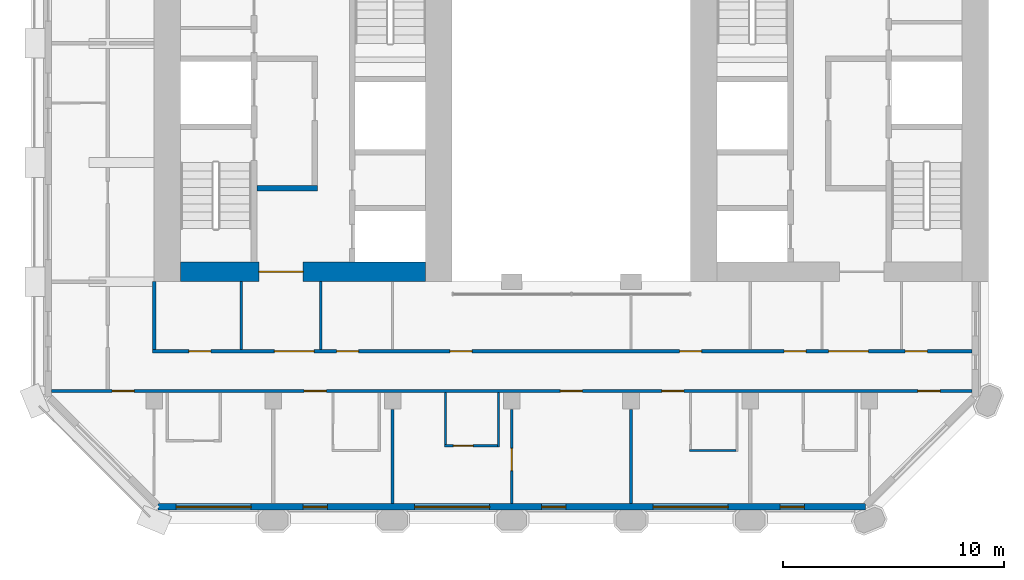
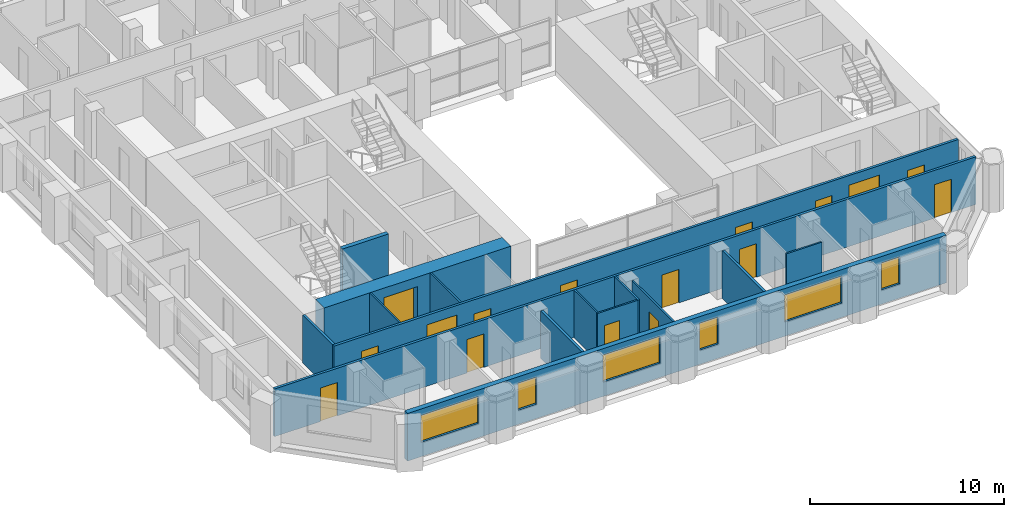
# One storey, part 6 of 13: 16 doors, 15 walls, 6 windows, 22 openings.
"""IFC4 building model written with IfcOpenShell, lengths in metres."""

from ifc_helpers import new_model, si_unit, direction, frame, frame_2d, origin, place, context, subcontext, project, spatial, rectangle, extrude, material, layer, layer_set, type_object, element, fill, save


model = new_model("IFC4")

# Units and contexts
model_context = context("Model", 3, precision=1e-05, world=origin(), true_north=direction((0.0, 1.0)))
body_context = subcontext(model_context, "Body", "Model", "MODEL_VIEW")
ifc_project = project(units=[si_unit("LENGTHUNIT", "METRE"), si_unit("AREAUNIT", "SQUARE_METRE"), si_unit("VOLUMEUNIT", "CUBIC_METRE"), si_unit("PLANEANGLEUNIT", "RADIAN"), si_unit("MASSUNIT", "GRAM", prefix="KILO")], contexts=[model_context])

# Site, building, storey
site_placement = place(None, origin())
site = spatial("IfcSite", under=ifc_project, at=site_placement, CompositionType="ELEMENT")
building_placement = place(site_placement, origin())
building = spatial("IfcBuilding", under=site, at=building_placement, Name="Tabaq Tower and Sports Hall", CompositionType="ELEMENT")
storey_placement = place(building_placement, frame((0.0, 0.0, 220.300048828125)))
storey = spatial("IfcBuildingStorey", under=building, at=storey_placement, Name="L55", CompositionType="ELEMENT", Elevation=220.300048828125)

# Wall, opening, door
ifc_material_1 = material(Name="Concrete C50/60", Category="concrete")
ifc_layer_1 = layer(ifc_material_1, 0.89990234375)
ifc_layer_set_1 = layer_set([ifc_layer_1], Name="Core wall 900 Concrete C50/60")
wall_type_1 = type_object("IfcWallType", Name="Core wall 900 Concrete C50/60", PredefinedType="SOLIDWALL", material=ifc_layer_set_1)
wall_1_placement = place(storey_placement, frame((17.699951171875, 16.64990234375, 0.0), z_axis=(0.0, 0.0, 1.0), x_axis=(-1.0, 0.0, 0.0)))
wall_1 = element("IfcWall", 1, at=wall_1_placement, inside=storey, type_object=wall_type_1, Name="Core wall W L55", PredefinedType="SOLIDWALL", context=body_context, shape_type="SweptSolid", body=[
    extrude(rectangle(XDim=11.099853515625, YDim=0.89990234375, at=frame_2d((5.5498046875, 0.0))), origin(), (0.0, 0.0, 1.0), 3.0),
])
opening_1_placement = place(wall_1_placement, frame((5.550048828125, 0.0, 0.0)))
opening_1 = element("IfcOpeningElement", 2, at=opening_1_placement, cuts=wall_1, Name="Opening PD-WL55-01", PredefinedType="OPENING", context=body_context, shape_type="SweptSolid", body=[
    extrude(rectangle(XDim=2.0, YDim=2.39990234375, at=frame_2d((1.0, 1.199951171875))), frame((0.0, 0.449951171875, 0.0), z_axis=(0.0, -1.0, 0.0), x_axis=(1.0, 0.0, 0.0)), (0.0, 0.0, 1.0), 0.89990234375),
])
ifc_material_2 = material(Name="Steel fire door", Category="steel")
door_type_1 = type_object("IfcDoorType", Name="Core entrance door 2000", OperationType="DOUBLE_DOOR_SINGLE_SWING", PredefinedType="DOOR", material=ifc_material_2)
door_1_placement = place(opening_1_placement, origin())
door_1 = element("IfcDoor", 3, at=door_1_placement, inside=storey, type_object=door_type_1, Name="Core entrance south W L55", OperationType="DOUBLE_DOOR_SINGLE_SWING", OverallHeight=2.39990234375, OverallWidth=2.0, PredefinedType="DOOR", context=body_context, shape_type="SweptSolid", body=[
    extrude(rectangle(XDim=2.0, YDim=2.39990234375, at=frame_2d((1.0, 1.199951171875))), frame((0.0, 0.02490234375, 0.0), z_axis=(0.0, -1.0, 0.0), x_axis=(1.0, 0.0, 0.0)), (0.0, 0.0, 1.0), 0.050048828125),
])
fill(opening_1, door_1)

# Wall
ifc_material_3 = material(Name="Gypsum board on steel studs", Category="steel")
ifc_layer_2 = layer(ifc_material_3, 0.10009765625)
ifc_layer_set_2 = layer_set([ifc_layer_2], Name="Partition 100 Gypsum board")
wall_type_2 = type_object("IfcWallType", Name="Partition 100 Gypsum board", PredefinedType="PARTITIONING", material=ifc_layer_set_2)
wall_2_placement = place(storey_placement, frame((31.75, 8.550048828125, 0.0), z_axis=(0.0, 0.0, 1.0), x_axis=(-1.0, 0.0, 0.0)))
element("IfcWall", 4, at=wall_2_placement, inside=storey, type_object=wall_type_2, Name="Partition wall L55", PredefinedType="PARTITIONING", context=body_context, shape_type="SweptSolid", body=[
    extrude(rectangle(XDim=2.10009765625, YDim=0.10009765625, at=frame_2d((1.050048828125, 0.0))), origin(), (0.0, 0.0, 1.0), 3.0),
])

# Wall, opening, door
wall_3_placement = place(storey_placement, frame((21.60009765625, 6.15087890625, 0.0), z_axis=(0.0, 0.0, 1.0), x_axis=(0.0, 1.0, 0.0)))
wall_3 = element("IfcWall", 5, at=wall_3_placement, inside=storey, type_object=wall_type_2, Name="Partition wall L55", PredefinedType="PARTITIONING", context=body_context, shape_type="SweptSolid", body=[
    extrude(rectangle(XDim=4.254150390625, YDim=0.10009765625, at=frame_2d((2.126953125, 0.0))), origin(), (0.0, 0.0, 1.0), 3.0),
])
opening_2_placement = place(wall_3_placement, frame((1.4970703125, 0.0, 0.0)))
opening_2 = element("IfcOpeningElement", 6, at=opening_2_placement, cuts=wall_3, Name="Opening L55-044", PredefinedType="OPENING", context=body_context, shape_type="SweptSolid", body=[
    extrude(rectangle(XDim=1.0, YDim=2.10009765625, at=frame_2d((0.5, 1.050048828125))), frame((0.0, 0.050048828125, 0.0), z_axis=(0.0, -1.0, 0.0), x_axis=(1.0, 0.0, 0.0)), (0.0, 0.0, 1.0), 0.10009765625),
])
ifc_material_4 = material(Name="Timber leaf in steel frame", Category="steel")
door_type_2 = type_object("IfcDoorType", Name="Internal door 1000 right hand", OperationType="SINGLE_SWING_RIGHT", PredefinedType="DOOR", material=ifc_material_4)
door_2_placement = place(opening_2_placement, origin())
door_2 = element("IfcDoor", 7, at=door_2_placement, inside=storey, type_object=door_type_2, Name="Internal door L55-044", OperationType="SINGLE_SWING_RIGHT", OverallHeight=2.10009765625, OverallWidth=1.0, PredefinedType="DOOR", context=body_context, shape_type="SweptSolid", body=[
    extrude(rectangle(XDim=1.0, YDim=2.10009765625, at=frame_2d((0.5, 1.050048828125))), frame((0.0, 0.02490234375, 0.0), z_axis=(0.0, -1.0, 0.0), x_axis=(1.0, 0.0, 0.0)), (0.0, 0.0, 1.0), 0.050048828125),
])
fill(opening_2, door_2)

# Wall
wall_4_placement = place(storey_placement, frame((21.0, 11.175048828125, 0.0), z_axis=(0.0, 0.0, 1.0), x_axis=(0.0, -1.0, 0.0)))
element("IfcWall", 8, at=wall_4_placement, inside=storey, type_object=wall_type_2, Name="Partition wall L55", PredefinedType="PARTITIONING", context=body_context, shape_type="SweptSolid", body=[
    extrude(rectangle(XDim=2.449951171875, YDim=0.10009765625, at=frame_2d((1.22509765625, 0.0))), origin(), (0.0, 0.0, 1.0), 3.0),
])

# Wall, opening, door
wall_5_placement = place(storey_placement, frame((20.949951171875, 8.77490234375, 0.0), z_axis=(0.0, 0.0, 1.0), x_axis=(-1.0, 0.0, 0.0)))
wall_5 = element("IfcWall", 9, at=wall_5_placement, inside=storey, type_object=wall_type_2, Name="Partition wall L55", PredefinedType="PARTITIONING", context=body_context, shape_type="SweptSolid", body=[
    extrude(rectangle(XDim=2.39990234375, YDim=0.10009765625, at=frame_2d((1.199951171875, 0.0))), origin(), (0.0, 0.0, 1.0), 3.0),
])
opening_3_placement = place(wall_5_placement, frame((1.10009765625, 0.0, 0.0)))
opening_3 = element("IfcOpeningElement", 10, at=opening_3_placement, cuts=wall_5, Name="Opening L55-018", PredefinedType="OPENING", context=body_context, shape_type="SweptSolid", body=[
    extrude(rectangle(XDim=0.89990234375, YDim=2.10009765625, at=frame_2d((0.449951171875, 1.050048828125))), frame((0.0, 0.050048828125, 0.0), z_axis=(0.0, -1.0, 0.0), x_axis=(1.0, 0.0, 0.0)), (0.0, 0.0, 1.0), 0.10009765625),
])
ifc_material_5 = material(Name="Timber leaf in steel frame", Category="steel")
door_type_3 = type_object("IfcDoorType", Name="Internal door 900 right hand", OperationType="SINGLE_SWING_RIGHT", PredefinedType="DOOR", material=ifc_material_5)
door_3_placement = place(opening_3_placement, origin())
door_3 = element("IfcDoor", 11, at=door_3_placement, inside=storey, type_object=door_type_3, Name="Internal door L55-018", OperationType="SINGLE_SWING_RIGHT", OverallHeight=2.10009765625, OverallWidth=0.89990234375, PredefinedType="DOOR", context=body_context, shape_type="SweptSolid", body=[
    extrude(rectangle(XDim=0.89990234375, YDim=2.10009765625, at=frame_2d((0.449951171875, 1.050048828125))), frame((0.0, 0.02490234375, 0.0), z_axis=(0.0, -1.0, 0.0), x_axis=(1.0, 0.0, 0.0)), (0.0, 0.0, 1.0), 0.050048828125),
])
fill(opening_3, door_3)

# Walls
wall_6_placement = place(storey_placement, frame((18.60009765625, 8.824951171875, 0.0), z_axis=(0.0, 0.0, 1.0), x_axis=(0.0, 1.0, 0.0)))
element("IfcWall", 12, at=wall_6_placement, inside=storey, type_object=wall_type_2, Name="Partition wall L55", PredefinedType="PARTITIONING", context=body_context, shape_type="SweptSolid", body=[
    extrude(rectangle(XDim=2.35009765625, YDim=0.10009765625, at=frame_2d((1.175048828125, 0.0))), origin(), (0.0, 0.0, 1.0), 3.0),
])
for number, where, z_axis, x_axis, name in (
    (13, (12.949951171875, 13.125, 0.0), (0.0, 0.0, 1.0), (0.0, 1.0, 0.0), "Partition wall L55"),
    (14, (9.35009765625, 16.199951171875, 0.0), (0.0, 0.0, 1.0), (0.0, -1.0, 0.0), "Partition wall L55"),
):
    element("IfcWall", number, at=place(storey_placement, frame(where, z_axis=z_axis, x_axis=x_axis)), inside=storey, type_object=wall_type_2, Name=name, PredefinedType="PARTITIONING", context=body_context, shape_type="SweptSolid", body=[
        extrude(rectangle(XDim=3.074951171875, YDim=0.10009765625, at=frame_2d((1.53759765625, 0.0))), origin(), (0.0, 0.0, 1.0), 3.0),
    ])
ifc_material_6 = material(Name="Blockwork", Category="masonry")
ifc_layer_3 = layer(ifc_material_6, 0.14990234375)
ifc_layer_set_3 = layer_set([ifc_layer_3], Name="Separating wall 150 Blockwork")
wall_type_3 = type_object("IfcWallType", Name="Separating wall 150 Blockwork", PredefinedType="PARTITIONING", material=ifc_layer_set_3)
for number, where, z_axis, x_axis, name in (
    (15, (27.0, 10.405029296875, 0.0), (0.0, 0.0, 1.0), (0.0, -1.0, 0.0), "Separating wall L55"),
    (16, (16.199951171875, 10.405029296875, 0.0), (0.0, 0.0, 1.0), (0.0, -1.0, 0.0), "Separating wall L55"),
):
    element("IfcWall", number, at=place(storey_placement, frame(where, z_axis=z_axis, x_axis=x_axis)), inside=storey, type_object=wall_type_3, Name=name, PredefinedType="PARTITIONING", context=body_context, shape_type="SweptSolid", body=[
        extrude(rectangle(XDim=4.254150390625, YDim=0.14990234375, at=frame_2d((2.126953125, 0.0))), origin(), (0.0, 0.0, 1.0), 3.0),
    ])

# Wall, openings, doors
wall_7_placement = place(storey_placement, frame((0.7509765625, 11.25, 0.0), z_axis=(0.0, 0.0, 1.0), x_axis=(1.0, 0.0, 0.0)))
wall_7 = element("IfcWall", 17, at=wall_7_placement, inside=storey, type_object=wall_type_3, Name="Separating wall L55", PredefinedType="PARTITIONING", context=body_context, shape_type="SweptSolid", body=[
    extrude(rectangle(XDim=41.697998046875, YDim=0.14990234375, at=frame_2d((20.84912109375, 0.0))), origin(), (0.0, 0.0, 1.0), 3.0),
])
opening_4_placement = place(wall_7_placement, frame((39.2490234375, 0.0, 0.0)))
opening_4 = element("IfcOpeningElement", 18, at=opening_4_placement, cuts=wall_7, Name="Opening L55-042", PredefinedType="OPENING", context=body_context, shape_type="SweptSolid", body=[
    extrude(rectangle(XDim=1.0, YDim=2.10009765625, at=frame_2d((0.5, 1.050048828125))), frame((0.0, 0.074951171875, 0.0), z_axis=(0.0, -1.0, 0.0), x_axis=(1.0, 0.0, 0.0)), (0.0, 0.0, 1.0), 0.14990234375),
])
opening_5_placement = place(wall_7_placement, frame((27.64892578125, 0.0, 0.0)))
opening_5 = element("IfcOpeningElement", 19, at=opening_5_placement, cuts=wall_7, Name="Opening L55-043", PredefinedType="OPENING", context=body_context, shape_type="SweptSolid", body=[
    extrude(rectangle(XDim=1.0, YDim=2.10009765625, at=frame_2d((0.5, 1.050048828125))), frame((0.0, 0.074951171875, 0.0), z_axis=(0.0, -1.0, 0.0), x_axis=(1.0, 0.0, 0.0)), (0.0, 0.0, 1.0), 0.14990234375),
])
opening_6_placement = place(wall_7_placement, frame((23.049072265625, 0.0, 0.0)))
opening_6 = element("IfcOpeningElement", 20, at=opening_6_placement, cuts=wall_7, Name="Opening L55-045", PredefinedType="OPENING", context=body_context, shape_type="SweptSolid", body=[
    extrude(rectangle(XDim=1.0, YDim=2.10009765625, at=frame_2d((0.5, 1.050048828125))), frame((0.0, 0.074951171875, 0.0), z_axis=(0.0, -1.0, 0.0), x_axis=(1.0, 0.0, 0.0)), (0.0, 0.0, 1.0), 0.14990234375),
])
opening_7_placement = place(wall_7_placement, frame((11.448974609375, 0.0, 0.0)))
opening_7 = element("IfcOpeningElement", 21, at=opening_7_placement, cuts=wall_7, Name="Opening L55-046", PredefinedType="OPENING", context=body_context, shape_type="SweptSolid", body=[
    extrude(rectangle(XDim=1.0, YDim=2.10009765625, at=frame_2d((0.5, 1.050048828125))), frame((0.0, 0.074951171875, 0.0), z_axis=(0.0, -1.0, 0.0), x_axis=(1.0, 0.0, 0.0)), (0.0, 0.0, 1.0), 0.14990234375),
])
opening_8_placement = place(wall_7_placement, frame((2.743896484375, 0.0, 0.0)))
opening_8 = element("IfcOpeningElement", 22, at=opening_8_placement, cuts=wall_7, Name="Opening L55-048", PredefinedType="OPENING", context=body_context, shape_type="SweptSolid", body=[
    extrude(rectangle(XDim=1.0, YDim=2.10009765625, at=frame_2d((0.5, 1.050048828125))), frame((0.0, 0.074951171875, 0.0), z_axis=(0.0, -1.0, 0.0), x_axis=(1.0, 0.0, 0.0)), (0.0, 0.0, 1.0), 0.14990234375),
])
ifc_material_7 = material(Name="Steel fire door", Category="steel")
door_type_4 = type_object("IfcDoorType", Name="Entrance door 1000 left hand", OperationType="SINGLE_SWING_LEFT", PredefinedType="DOOR", material=ifc_material_7)
door_4_placement = place(opening_6_placement, origin())
door_4 = element("IfcDoor", 23, at=door_4_placement, inside=storey, type_object=door_type_4, Name="Entrance door L55-045", OperationType="SINGLE_SWING_LEFT", OverallHeight=2.10009765625, OverallWidth=1.0, PredefinedType="DOOR", context=body_context, shape_type="SweptSolid", body=[
    extrude(rectangle(XDim=1.0, YDim=2.10009765625, at=frame_2d((0.5, 1.050048828125))), frame((0.0, 0.02490234375, 0.0), z_axis=(0.0, -1.0, 0.0), x_axis=(1.0, 0.0, 0.0)), (0.0, 0.0, 1.0), 0.050048828125),
])
fill(opening_6, door_4)
door_5_placement = place(opening_7_placement, origin())
door_5 = element("IfcDoor", 24, at=door_5_placement, inside=storey, type_object=door_type_4, Name="Entrance door L55-046", OperationType="SINGLE_SWING_LEFT", OverallHeight=2.10009765625, OverallWidth=1.0, PredefinedType="DOOR", context=body_context, shape_type="SweptSolid", body=[
    extrude(rectangle(XDim=1.0, YDim=2.10009765625, at=frame_2d((0.5, 1.050048828125))), frame((0.0, 0.02490234375, 0.0), z_axis=(0.0, -1.0, 0.0), x_axis=(1.0, 0.0, 0.0)), (0.0, 0.0, 1.0), 0.050048828125),
])
fill(opening_7, door_5)
ifc_material_8 = material(Name="Steel fire door", Category="steel")
door_type_5 = type_object("IfcDoorType", Name="Entrance door 1000 right hand", OperationType="SINGLE_SWING_RIGHT", PredefinedType="DOOR", material=ifc_material_8)
door_6_placement = place(opening_4_placement, origin())
door_6 = element("IfcDoor", 25, at=door_6_placement, inside=storey, type_object=door_type_5, Name="Entrance door L55-042", OperationType="SINGLE_SWING_RIGHT", OverallHeight=2.10009765625, OverallWidth=1.0, PredefinedType="DOOR", context=body_context, shape_type="SweptSolid", body=[
    extrude(rectangle(XDim=1.0, YDim=2.10009765625, at=frame_2d((0.5, 1.050048828125))), frame((0.0, 0.02490234375, 0.0), z_axis=(0.0, -1.0, 0.0), x_axis=(1.0, 0.0, 0.0)), (0.0, 0.0, 1.0), 0.050048828125),
])
fill(opening_4, door_6)
door_7_placement = place(opening_5_placement, origin())
door_7 = element("IfcDoor", 26, at=door_7_placement, inside=storey, type_object=door_type_5, Name="Entrance door L55-043", OperationType="SINGLE_SWING_RIGHT", OverallHeight=2.10009765625, OverallWidth=1.0, PredefinedType="DOOR", context=body_context, shape_type="SweptSolid", body=[
    extrude(rectangle(XDim=1.0, YDim=2.10009765625, at=frame_2d((0.5, 1.050048828125))), frame((0.0, 0.02490234375, 0.0), z_axis=(0.0, -1.0, 0.0), x_axis=(1.0, 0.0, 0.0)), (0.0, 0.0, 1.0), 0.050048828125),
])
fill(opening_5, door_7)
door_8_placement = place(opening_8_placement, origin())
door_8 = element("IfcDoor", 27, at=door_8_placement, inside=storey, type_object=door_type_5, Name="Entrance door L55-048", OperationType="SINGLE_SWING_RIGHT", OverallHeight=2.10009765625, OverallWidth=1.0, PredefinedType="DOOR", context=body_context, shape_type="SweptSolid", body=[
    extrude(rectangle(XDim=1.0, YDim=2.10009765625, at=frame_2d((0.5, 1.050048828125))), frame((0.0, 0.02490234375, 0.0), z_axis=(0.0, -1.0, 0.0), x_axis=(1.0, 0.0, 0.0)), (0.0, 0.0, 1.0), 0.050048828125),
])
fill(opening_8, door_8)

wall_8_placement = place(storey_placement, frame((5.324951171875, 13.050048828125, 0.0), z_axis=(0.0, 0.0, 1.0), x_axis=(1.0, 0.0, 0.0)))
wall_8 = element("IfcWall", 28, at=wall_8_placement, inside=storey, type_object=wall_type_3, Name="Separating wall L55", PredefinedType="PARTITIONING", context=body_context, shape_type="SweptSolid", body=[
    extrude(rectangle(XDim=37.1240234375, YDim=0.14990234375, at=frame_2d((18.56201171875, 0.0))), origin(), (0.0, 0.0, 1.0), 3.0),
])
opening_9_placement = place(wall_8_placement, frame((23.875, 0.0, 0.0)))
opening_9 = element("IfcOpeningElement", 29, at=opening_9_placement, cuts=wall_8, Name="Opening L55-021", PredefinedType="OPENING", context=body_context, shape_type="SweptSolid", body=[
    extrude(rectangle(XDim=1.0, YDim=2.10009765625, at=frame_2d((0.5, 1.050048828125))), frame((0.0, 0.074951171875, 0.0), z_axis=(0.0, -1.0, 0.0), x_axis=(1.0, 0.0, 0.0)), (0.0, 0.0, 1.0), 0.14990234375),
])
opening_10_placement = place(wall_8_placement, frame((13.47509765625, 0.0, 0.0)))
opening_10 = element("IfcOpeningElement", 30, at=opening_10_placement, cuts=wall_8, Name="Opening L55-022", PredefinedType="OPENING", context=body_context, shape_type="SweptSolid", body=[
    extrude(rectangle(XDim=1.0, YDim=2.10009765625, at=frame_2d((0.5, 1.050048828125))), frame((0.0, 0.074951171875, 0.0), z_axis=(0.0, -1.0, 0.0), x_axis=(1.0, 0.0, 0.0)), (0.0, 0.0, 1.0), 0.14990234375),
])
opening_11_placement = place(wall_8_placement, frame((34.094970703125, 0.0, 0.0)))
opening_11 = element("IfcOpeningElement", 31, at=opening_11_placement, cuts=wall_8, Name="Opening L55-024", PredefinedType="OPENING", context=body_context, shape_type="SweptSolid", body=[
    extrude(rectangle(XDim=1.0, YDim=2.10009765625, at=frame_2d((0.5, 1.050048828125))), frame((0.0, 0.074951171875, 0.0), z_axis=(0.0, -1.0, 0.0), x_axis=(1.0, 0.0, 0.0)), (0.0, 0.0, 1.0), 0.14990234375),
])
opening_12_placement = place(wall_8_placement, frame((8.3369140625, 0.0, 0.0)))
opening_12 = element("IfcOpeningElement", 32, at=opening_12_placement, cuts=wall_8, Name="Opening L55-025", PredefinedType="OPENING", context=body_context, shape_type="SweptSolid", body=[
    extrude(rectangle(XDim=1.0, YDim=2.10009765625, at=frame_2d((0.5, 1.050048828125))), frame((0.0, 0.074951171875, 0.0), z_axis=(0.0, -1.0, 0.0), x_axis=(1.0, 0.0, 0.0)), (0.0, 0.0, 1.0), 0.14990234375),
])
opening_13_placement = place(wall_8_placement, frame((1.64794921875, 0.0, 0.0)))
opening_13 = element("IfcOpeningElement", 33, at=opening_13_placement, cuts=wall_8, Name="Opening L55-026", PredefinedType="OPENING", context=body_context, shape_type="SweptSolid", body=[
    extrude(rectangle(XDim=1.0, YDim=2.10009765625, at=frame_2d((0.5, 1.050048828125))), frame((0.0, 0.074951171875, 0.0), z_axis=(0.0, -1.0, 0.0), x_axis=(1.0, 0.0, 0.0)), (0.0, 0.0, 1.0), 0.14990234375),
])
opening_14_placement = place(wall_8_placement, frame((28.613037109375, 0.0, 0.0)))
opening_14 = element("IfcOpeningElement", 34, at=opening_14_placement, cuts=wall_8, Name="Opening L55-027", PredefinedType="OPENING", context=body_context, shape_type="SweptSolid", body=[
    extrude(rectangle(XDim=1.0, YDim=2.10009765625, at=frame_2d((0.5, 1.050048828125))), frame((0.0, 0.074951171875, 0.0), z_axis=(0.0, -1.0, 0.0), x_axis=(1.0, 0.0, 0.0)), (0.0, 0.0, 1.0), 0.14990234375),
])
opening_15_placement = place(wall_8_placement, frame((30.625, 0.0, 0.0)))
opening_15 = element("IfcOpeningElement", 35, at=opening_15_placement, cuts=wall_8, Name="Opening L55-050", PredefinedType="OPENING", context=body_context, shape_type="SweptSolid", body=[
    extrude(rectangle(XDim=1.800048828125, YDim=2.39990234375, at=frame_2d((0.89990234375, 1.199951171875))), frame((0.0, 0.074951171875, 0.0), z_axis=(0.0, -1.0, 0.0), x_axis=(1.0, 0.0, 0.0)), (0.0, 0.0, 1.0), 0.14990234375),
])
opening_16_placement = place(wall_8_placement, frame((5.52490234375, 0.0, 0.0)))
opening_16 = element("IfcOpeningElement", 36, at=opening_16_placement, cuts=wall_8, Name="Opening L55-051", PredefinedType="OPENING", context=body_context, shape_type="SweptSolid", body=[
    extrude(rectangle(XDim=1.800048828125, YDim=2.39990234375, at=frame_2d((0.89990234375, 1.199951171875))), frame((0.0, 0.074951171875, 0.0), z_axis=(0.0, -1.0, 0.0), x_axis=(1.0, 0.0, 0.0)), (0.0, 0.0, 1.0), 0.14990234375),
])
ifc_material_9 = material(Name="Timber leaf in steel frame", Category="steel")
door_type_6 = type_object("IfcDoorType", Name="Internal door 1000 left hand", OperationType="SINGLE_SWING_LEFT", PredefinedType="DOOR", material=ifc_material_9)
door_9_placement = place(opening_11_placement, origin())
door_9 = element("IfcDoor", 37, at=door_9_placement, inside=storey, type_object=door_type_6, Name="Internal door L55-024", OperationType="SINGLE_SWING_LEFT", OverallHeight=2.10009765625, OverallWidth=1.0, PredefinedType="DOOR", context=body_context, shape_type="SweptSolid", body=[
    extrude(rectangle(XDim=1.0, YDim=2.10009765625, at=frame_2d((0.5, 1.050048828125))), frame((0.0, 0.02490234375, 0.0), z_axis=(0.0, -1.0, 0.0), x_axis=(1.0, 0.0, 0.0)), (0.0, 0.0, 1.0), 0.050048828125),
])
fill(opening_11, door_9)
door_10_placement = place(opening_13_placement, origin())
door_10 = element("IfcDoor", 38, at=door_10_placement, inside=storey, type_object=door_type_6, Name="Internal door L55-026", OperationType="SINGLE_SWING_LEFT", OverallHeight=2.10009765625, OverallWidth=1.0, PredefinedType="DOOR", context=body_context, shape_type="SweptSolid", body=[
    extrude(rectangle(XDim=1.0, YDim=2.10009765625, at=frame_2d((0.5, 1.050048828125))), frame((0.0, 0.02490234375, 0.0), z_axis=(0.0, -1.0, 0.0), x_axis=(1.0, 0.0, 0.0)), (0.0, 0.0, 1.0), 0.050048828125),
])
fill(opening_13, door_10)
door_11_placement = place(opening_9_placement, origin())
door_11 = element("IfcDoor", 39, at=door_11_placement, inside=storey, type_object=door_type_2, Name="Internal door L55-021", OperationType="SINGLE_SWING_RIGHT", OverallHeight=2.10009765625, OverallWidth=1.0, PredefinedType="DOOR", context=body_context, shape_type="SweptSolid", body=[
    extrude(rectangle(XDim=1.0, YDim=2.10009765625, at=frame_2d((0.5, 1.050048828125))), frame((0.0, 0.02490234375, 0.0), z_axis=(0.0, -1.0, 0.0), x_axis=(1.0, 0.0, 0.0)), (0.0, 0.0, 1.0), 0.050048828125),
])
fill(opening_9, door_11)
door_12_placement = place(opening_10_placement, origin())
door_12 = element("IfcDoor", 40, at=door_12_placement, inside=storey, type_object=door_type_2, Name="Internal door L55-022", OperationType="SINGLE_SWING_RIGHT", OverallHeight=2.10009765625, OverallWidth=1.0, PredefinedType="DOOR", context=body_context, shape_type="SweptSolid", body=[
    extrude(rectangle(XDim=1.0, YDim=2.10009765625, at=frame_2d((0.5, 1.050048828125))), frame((0.0, 0.02490234375, 0.0), z_axis=(0.0, -1.0, 0.0), x_axis=(1.0, 0.0, 0.0)), (0.0, 0.0, 1.0), 0.050048828125),
])
fill(opening_10, door_12)
door_13_placement = place(opening_12_placement, origin())
door_13 = element("IfcDoor", 41, at=door_13_placement, inside=storey, type_object=door_type_2, Name="Internal door L55-025", OperationType="SINGLE_SWING_RIGHT", OverallHeight=2.10009765625, OverallWidth=1.0, PredefinedType="DOOR", context=body_context, shape_type="SweptSolid", body=[
    extrude(rectangle(XDim=1.0, YDim=2.10009765625, at=frame_2d((0.5, 1.050048828125))), frame((0.0, 0.02490234375, 0.0), z_axis=(0.0, -1.0, 0.0), x_axis=(1.0, 0.0, 0.0)), (0.0, 0.0, 1.0), 0.050048828125),
])
fill(opening_12, door_13)
door_14_placement = place(opening_14_placement, origin())
door_14 = element("IfcDoor", 42, at=door_14_placement, inside=storey, type_object=door_type_2, Name="Internal door L55-027", OperationType="SINGLE_SWING_RIGHT", OverallHeight=2.10009765625, OverallWidth=1.0, PredefinedType="DOOR", context=body_context, shape_type="SweptSolid", body=[
    extrude(rectangle(XDim=1.0, YDim=2.10009765625, at=frame_2d((0.5, 1.050048828125))), frame((0.0, 0.02490234375, 0.0), z_axis=(0.0, -1.0, 0.0), x_axis=(1.0, 0.0, 0.0)), (0.0, 0.0, 1.0), 0.050048828125),
])
fill(opening_14, door_14)
ifc_material_10 = material(Name="Timber leaf in steel frame", Category="steel")
door_type_7 = type_object("IfcDoorType", Name="Internal door 1800", OperationType="DOUBLE_DOOR_SINGLE_SWING", PredefinedType="DOOR", material=ifc_material_10)
door_15_placement = place(opening_15_placement, origin())
door_15 = element("IfcDoor", 43, at=door_15_placement, inside=storey, type_object=door_type_7, Name="Internal door L55-050", OperationType="DOUBLE_DOOR_SINGLE_SWING", OverallHeight=2.39990234375, OverallWidth=1.800048828125, PredefinedType="DOOR", context=body_context, shape_type="SweptSolid", body=[
    extrude(rectangle(XDim=1.800048828125, YDim=2.39990234375, at=frame_2d((0.89990234375, 1.199951171875))), frame((0.0, 0.02490234375, 0.0), z_axis=(0.0, -1.0, 0.0), x_axis=(1.0, 0.0, 0.0)), (0.0, 0.0, 1.0), 0.050048828125),
])
fill(opening_15, door_15)
door_16_placement = place(opening_16_placement, origin())
door_16 = element("IfcDoor", 44, at=door_16_placement, inside=storey, type_object=door_type_7, Name="Internal door L55-051", OperationType="DOUBLE_DOOR_SINGLE_SWING", OverallHeight=2.39990234375, OverallWidth=1.800048828125, PredefinedType="DOOR", context=body_context, shape_type="SweptSolid", body=[
    extrude(rectangle(XDim=1.800048828125, YDim=2.39990234375, at=frame_2d((0.89990234375, 1.199951171875))), frame((0.0, 0.02490234375, 0.0), z_axis=(0.0, -1.0, 0.0), x_axis=(1.0, 0.0, 0.0)), (0.0, 0.0, 1.0), 0.050048828125),
])
fill(opening_16, door_16)

# Walls
wall_9_placement = place(storey_placement, frame((5.39990234375, 13.125, 0.0), z_axis=(0.0, 0.0, 1.0), x_axis=(0.0, 1.0, 0.0)))
element("IfcWall", 45, at=wall_9_placement, inside=storey, type_object=wall_type_3, Name="Separating wall L55", PredefinedType="PARTITIONING", context=body_context, shape_type="SweptSolid", body=[
    extrude(rectangle(XDim=3.074951171875, YDim=0.14990234375, at=frame_2d((1.53759765625, 0.0))), origin(), (0.0, 0.0, 1.0), 3.0),
])
ifc_material_11 = material(Name="Concrete C40/50", Category="concrete")
ifc_layer_4 = layer(ifc_material_11, 0.25)
ifc_layer_set_4 = layer_set([ifc_layer_4], Name="Shaft and stair wall 250 Concrete C40/50")
wall_type_4 = type_object("IfcWallType", Name="Shaft and stair wall 250 Concrete C40/50", PredefinedType="SOLIDWALL", material=ifc_layer_set_4)
wall_10_placement = place(storey_placement, frame((10.050048828125, 20.425048828125, 0.0), z_axis=(0.0, 0.0, 1.0), x_axis=(1.0, 0.0, 0.0)))
element("IfcWall", 46, at=wall_10_placement, inside=storey, type_object=wall_type_4, Name="Fire-fighting lobby wall W L55", PredefinedType="SOLIDWALL", context=body_context, shape_type="SweptSolid", body=[
    extrude(rectangle(XDim=2.75, YDim=0.25, at=frame_2d((1.375, 0.0))), origin(), (0.0, 0.0, 1.0), 3.0),
])

# Wall, openings, windows
ifc_material_12 = material(Name="White precast concrete C60/75", Category="concrete")
ifc_layer_5 = layer(ifc_material_12, 0.300048828125)
ifc_layer_set_5 = layer_set([ifc_layer_5], Name="White precast concrete C60/75 external wall 300")
wall_type_5 = type_object("IfcWallType", Name="White precast concrete C60/75 external wall 300", PredefinedType="SOLIDWALL", material=ifc_layer_set_5)
wall_11_placement = place(storey_placement, frame((5.58642578125, 6.0, 0.0), z_axis=(0.0, 0.0, 1.0), x_axis=(1.0, 0.0, 0.0)))
wall_11 = element("IfcWall", 47, at=wall_11_placement, inside=storey, type_object=wall_type_5, Name="External Wall L55 S", PredefinedType="SOLIDWALL", context=body_context, shape_type="SweptSolid", body=[
    extrude(rectangle(XDim=32.027099609375, YDim=0.300048828125, at=frame_2d((16.013671875, 0.0))), origin(), (0.0, 0.0, 1.0), 3.0),
])
opening_17_placement = place(wall_11_placement, frame((0.813720703125, 0.0, 0.89990234375)))
opening_17 = element("IfcOpeningElement", 48, at=opening_17_placement, cuts=wall_11, Name="Opening W1A", PredefinedType="OPENING", context=body_context, shape_type="SweptSolid", body=[
    extrude(rectangle(XDim=3.39990234375, YDim=1.699951171875, at=frame_2d((1.699951171875, 0.85009765625))), frame((0.0, 0.16015625, 0.0), z_axis=(0.0, -1.0, 0.0), x_axis=(1.0, 0.0, 0.0)), (0.0, 0.0, 1.0), 0.320068359375),
])
opening_18_placement = place(wall_11_placement, frame((6.563720703125, 0.0, 0.89990234375)))
opening_18 = element("IfcOpeningElement", 49, at=opening_18_placement, cuts=wall_11, Name="Opening W1B", PredefinedType="OPENING", context=body_context, shape_type="SweptSolid", body=[
    extrude(rectangle(XDim=1.10009765625, YDim=1.699951171875, at=frame_2d((0.550048828125, 0.85009765625))), frame((0.0, 0.16015625, 0.0), z_axis=(0.0, -1.0, 0.0), x_axis=(1.0, 0.0, 0.0)), (0.0, 0.0, 1.0), 0.320068359375),
])
opening_19_placement = place(wall_11_placement, frame((11.613525390625, 0.0, 0.89990234375)))
opening_19 = element("IfcOpeningElement", 50, at=opening_19_placement, cuts=wall_11, Name="Opening W1A", PredefinedType="OPENING", context=body_context, shape_type="SweptSolid", body=[
    extrude(rectangle(XDim=3.39990234375, YDim=1.699951171875, at=frame_2d((1.699951171875, 0.85009765625))), frame((0.0, 0.16015625, 0.0), z_axis=(0.0, -1.0, 0.0), x_axis=(1.0, 0.0, 0.0)), (0.0, 0.0, 1.0), 0.320068359375),
])
opening_20_placement = place(wall_11_placement, frame((17.363525390625, 0.0, 0.89990234375)))
opening_20 = element("IfcOpeningElement", 51, at=opening_20_placement, cuts=wall_11, Name="Opening W1B", PredefinedType="OPENING", context=body_context, shape_type="SweptSolid", body=[
    extrude(rectangle(XDim=1.10009765625, YDim=1.699951171875, at=frame_2d((0.550048828125, 0.85009765625))), frame((0.0, 0.16015625, 0.0), z_axis=(0.0, -1.0, 0.0), x_axis=(1.0, 0.0, 0.0)), (0.0, 0.0, 1.0), 0.320068359375),
])
opening_21_placement = place(wall_11_placement, frame((22.41357421875, 0.0, 0.89990234375)))
opening_21 = element("IfcOpeningElement", 52, at=opening_21_placement, cuts=wall_11, Name="Opening W1A", PredefinedType="OPENING", context=body_context, shape_type="SweptSolid", body=[
    extrude(rectangle(XDim=3.39990234375, YDim=1.699951171875, at=frame_2d((1.699951171875, 0.85009765625))), frame((0.0, 0.16015625, 0.0), z_axis=(0.0, -1.0, 0.0), x_axis=(1.0, 0.0, 0.0)), (0.0, 0.0, 1.0), 0.320068359375),
])
opening_22_placement = place(wall_11_placement, frame((28.16357421875, 0.0, 0.89990234375)))
opening_22 = element("IfcOpeningElement", 53, at=opening_22_placement, cuts=wall_11, Name="Opening W1B", PredefinedType="OPENING", context=body_context, shape_type="SweptSolid", body=[
    extrude(rectangle(XDim=1.10009765625, YDim=1.699951171875, at=frame_2d((0.550048828125, 0.85009765625))), frame((0.0, 0.16015625, 0.0), z_axis=(0.0, -1.0, 0.0), x_axis=(1.0, 0.0, 0.0)), (0.0, 0.0, 1.0), 0.320068359375),
])
ifc_material_13 = material(Name="Aluminium framed clear glazing", Category="aluminium")
window_type_1 = type_object("IfcWindowType", Name="Window W1A", PartitioningType="SINGLE_PANEL", PredefinedType="WINDOW", material=ifc_material_13)
window_1_placement = place(opening_17_placement, origin())
window_1 = element("IfcWindow", 54, at=window_1_placement, inside=storey, type_object=window_type_1, Name="Window W1A L55", OverallHeight=1.699951171875, OverallWidth=3.39990234375, PartitioningType="SINGLE_PANEL", PredefinedType="WINDOW", context=body_context, shape_type="SweptSolid", body=[
    extrude(rectangle(XDim=3.39990234375, YDim=1.699951171875, at=frame_2d((1.699951171875, 0.85009765625))), frame((0.0, 0.030029296875, 0.0), z_axis=(0.0, -1.0, 0.0), x_axis=(1.0, 0.0, 0.0)), (0.0, 0.0, 1.0), 0.06005859375),
])
fill(opening_17, window_1)
window_2_placement = place(opening_19_placement, origin())
window_2 = element("IfcWindow", 55, at=window_2_placement, inside=storey, type_object=window_type_1, Name="Window W1A L55", OverallHeight=1.699951171875, OverallWidth=3.39990234375, PartitioningType="SINGLE_PANEL", PredefinedType="WINDOW", context=body_context, shape_type="SweptSolid", body=[
    extrude(rectangle(XDim=3.39990234375, YDim=1.699951171875, at=frame_2d((1.699951171875, 0.85009765625))), frame((0.0, 0.030029296875, 0.0), z_axis=(0.0, -1.0, 0.0), x_axis=(1.0, 0.0, 0.0)), (0.0, 0.0, 1.0), 0.06005859375),
])
fill(opening_19, window_2)
window_3_placement = place(opening_21_placement, origin())
window_3 = element("IfcWindow", 56, at=window_3_placement, inside=storey, type_object=window_type_1, Name="Window W1A L55", OverallHeight=1.699951171875, OverallWidth=3.39990234375, PartitioningType="SINGLE_PANEL", PredefinedType="WINDOW", context=body_context, shape_type="SweptSolid", body=[
    extrude(rectangle(XDim=3.39990234375, YDim=1.699951171875, at=frame_2d((1.699951171875, 0.85009765625))), frame((0.0, 0.030029296875, 0.0), z_axis=(0.0, -1.0, 0.0), x_axis=(1.0, 0.0, 0.0)), (0.0, 0.0, 1.0), 0.06005859375),
])
fill(opening_21, window_3)
ifc_material_14 = material(Name="Aluminium framed clear glazing", Category="aluminium")
window_type_2 = type_object("IfcWindowType", Name="Window W1B", PartitioningType="SINGLE_PANEL", PredefinedType="WINDOW", material=ifc_material_14)
window_4_placement = place(opening_18_placement, origin())
window_4 = element("IfcWindow", 57, at=window_4_placement, inside=storey, type_object=window_type_2, Name="Window W1B L55", OverallHeight=1.699951171875, OverallWidth=1.10009765625, PartitioningType="SINGLE_PANEL", PredefinedType="WINDOW", context=body_context, shape_type="SweptSolid", body=[
    extrude(rectangle(XDim=1.10009765625, YDim=1.699951171875, at=frame_2d((0.550048828125, 0.85009765625))), frame((0.0, 0.030029296875, 0.0), z_axis=(0.0, -1.0, 0.0), x_axis=(1.0, 0.0, 0.0)), (0.0, 0.0, 1.0), 0.06005859375),
])
fill(opening_18, window_4)
window_5_placement = place(opening_20_placement, origin())
window_5 = element("IfcWindow", 58, at=window_5_placement, inside=storey, type_object=window_type_2, Name="Window W1B L55", OverallHeight=1.699951171875, OverallWidth=1.10009765625, PartitioningType="SINGLE_PANEL", PredefinedType="WINDOW", context=body_context, shape_type="SweptSolid", body=[
    extrude(rectangle(XDim=1.10009765625, YDim=1.699951171875, at=frame_2d((0.550048828125, 0.85009765625))), frame((0.0, 0.030029296875, 0.0), z_axis=(0.0, -1.0, 0.0), x_axis=(1.0, 0.0, 0.0)), (0.0, 0.0, 1.0), 0.06005859375),
])
fill(opening_20, window_5)
window_6_placement = place(opening_22_placement, origin())
window_6 = element("IfcWindow", 59, at=window_6_placement, inside=storey, type_object=window_type_2, Name="Window W1B L55", OverallHeight=1.699951171875, OverallWidth=1.10009765625, PartitioningType="SINGLE_PANEL", PredefinedType="WINDOW", context=body_context, shape_type="SweptSolid", body=[
    extrude(rectangle(XDim=1.10009765625, YDim=1.699951171875, at=frame_2d((0.550048828125, 0.85009765625))), frame((0.0, 0.030029296875, 0.0), z_axis=(0.0, -1.0, 0.0), x_axis=(1.0, 0.0, 0.0)), (0.0, 0.0, 1.0), 0.06005859375),
])
fill(opening_22, window_6)

save(model, "model.ifc")
